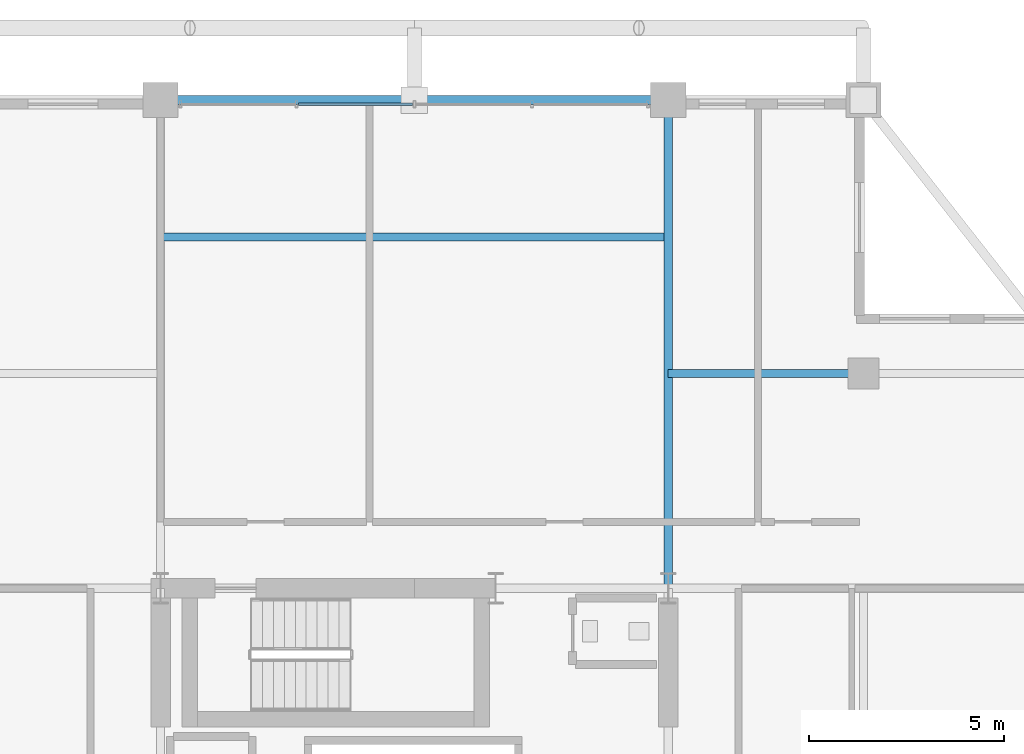
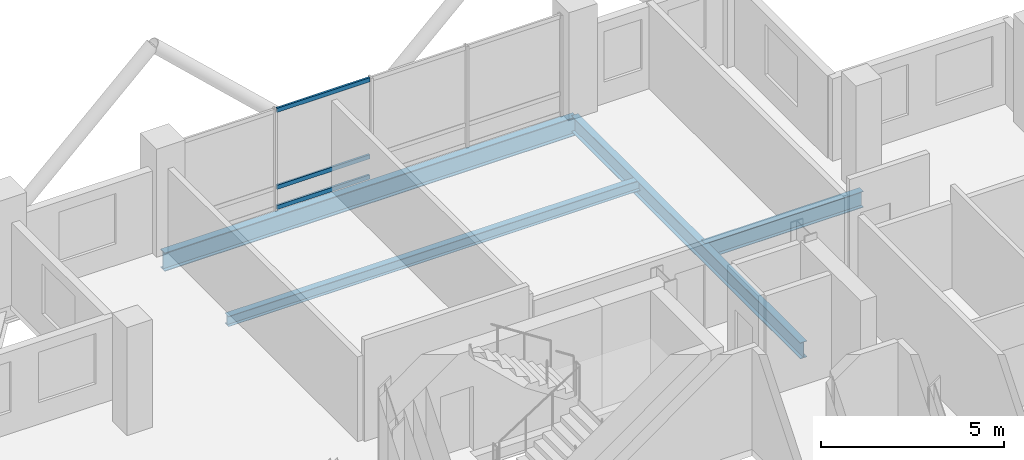
# One storey, part 16 of 24: 4 beams, 3 members, 1 element without a shape of its own.
"""IFC4 building model written with IfcOpenShell, lengths in metres."""

from ifc_helpers import new_model, si_unit, direction, frame, origin, origin_2d, place, context, subcontext, project, spatial, hollow_rectangle, i_section, extrude, material, layer, layer_set, material_profile, profile_set, type_object, element, aggregate, save


model = new_model("IFC4")

# Units and contexts
model_context = context("Model", 3, precision=1e-05, world=origin(), true_north=direction((0.0, 1.0)))
body_context = subcontext(model_context, "Body", "Model", "MODEL_VIEW")
ifc_project = project(units=[si_unit("LENGTHUNIT", "METRE"), si_unit("AREAUNIT", "SQUARE_METRE"), si_unit("VOLUMEUNIT", "CUBIC_METRE"), si_unit("PLANEANGLEUNIT", "RADIAN"), si_unit("MASSUNIT", "GRAM", prefix="KILO")], contexts=[model_context])

# Site, building, storey
site_placement = place(None, origin())
site = spatial("IfcSite", under=ifc_project, at=site_placement, CompositionType="ELEMENT")
building_placement = place(site_placement, origin())
building = spatial("IfcBuilding", under=site, at=building_placement, Name="Barlavira Tower and Art Museum", CompositionType="ELEMENT")
storey_placement = place(building_placement, frame((0.0, 0.0, 294.300048828125)))
storey = spatial("IfcBuildingStorey", under=building, at=storey_placement, Name="L77", CompositionType="ELEMENT", Elevation=294.300048828125)

# Curtain wall, members
ifc_material_1 = material(Name="Low-iron coastal laminated glass", Category="glass")
ifc_layer = layer(ifc_material_1, 0.2099609375, Name="Low-iron coastal laminated glass")
ifc_layer_set = layer_set([ifc_layer], Name="Low-iron coastal laminated glass")
curtain_wall_type = type_object("IfcCurtainWallType", Name="Pale-Metal Unitised Curtain Wall Zone 4", PredefinedType="NOTDEFINED", material=ifc_layer_set)
curtain_wall_placement = place(storey_placement, origin())
curtain_wall = element("IfcCurtainWall", 1, at=curtain_wall_placement, inside=storey, type_object=curtain_wall_type, Name="L77 Curtain Wall CW4-L77-N-B2", PredefinedType="NOTDEFINED")
ifc_material_2 = material(Name="Pale anodised aluminium", Category="aluminium")
ifc_material_profile_1 = material_profile(ifc_material_2, hollow_rectangle(XDim=0.06494140625, YDim=0.139892578125, WallThickness=0.00390625, at=origin_2d()), Name="ALU-TRAN 65x140x4")
ifc_profile_set_1 = profile_set([ifc_material_profile_1], Name="Pale anodised aluminium")
member_type = type_object("IfcMemberType", Name="Curtain Wall Pale-Metal Transom 65x140", PredefinedType="USERDEFINED", material=ifc_profile_set_1)
member_1_placement = place(storey_placement, frame((-0.044921875, 19.89990234375, 0.070068359375), z_axis=(-1.0, 0.0, 0.0), x_axis=(0.0, -1.0, 0.0)))
member_1 = element("IfcMember", 2, at=member_1_placement, type_object=member_type, Name="CW4-L77-N-B2 Transom 2.1", ObjectType="TRANSOM", PredefinedType="USERDEFINED", context=body_context, shape_type="SweptSolid", body=[
    extrude(hollow_rectangle(XDim=0.06494140625, YDim=0.139892578125, WallThickness=0.00390625, at=origin_2d()), origin(), (0.0, 0.0, 1.0), 2.925048828125),
])
member_2_placement = place(storey_placement, frame((-0.044921875, 19.89990234375, 0.743896484375), z_axis=(-1.0, 0.0, 0.0), x_axis=(0.0, -1.0, 0.0)))
member_2 = element("IfcMember", 3, at=member_2_placement, type_object=member_type, Name="CW4-L77-N-B2 Transom 2.2", ObjectType="TRANSOM", PredefinedType="USERDEFINED", context=body_context, shape_type="SweptSolid", body=[
    extrude(hollow_rectangle(XDim=0.06494140625, YDim=0.139892578125, WallThickness=0.00390625, at=origin_2d()), origin(), (0.0, 0.0, 1.0), 2.925048828125),
])
member_3_placement = place(storey_placement, frame((-0.044921875, 19.89990234375, 3.31005859375), z_axis=(-1.0, 0.0, 0.0), x_axis=(0.0, -1.0, 0.0)))
member_3 = element("IfcMember", 4, at=member_3_placement, type_object=member_type, Name="CW4-L77-N-B2 Transom 2.3", ObjectType="TRANSOM", PredefinedType="USERDEFINED", context=body_context, shape_type="SweptSolid", body=[
    extrude(hollow_rectangle(XDim=0.06494140625, YDim=0.139892578125, WallThickness=0.00390625, at=origin_2d()), origin(), (0.0, 0.0, 1.0), 2.925048828125),
])
aggregate(curtain_wall, [member_1, member_2, member_3])

# Beams
ifc_material_3 = material(Name="Steel S355", Category="steel")
ifc_material_profile_2 = material_profile(ifc_material_3, i_section(OverallWidth=0.22998046875, OverallDepth=0.616943359375, WebThickness=0.01318359375, FlangeThickness=0.022216796875, at=origin_2d()), Name="W610x140.0")
ifc_profile_set_2 = profile_set([ifc_material_profile_2], Name="Steel S355")
beam_type_1 = type_object("IfcBeamType", Name="Upper Shaft Spandrel Edge Beam W610x140 Steel S355", PredefinedType="SPANDREL", material=ifc_profile_set_2)
beam_1_placement = place(storey_placement, frame((-6.5, 20.0, -0.528564453125), z_axis=(1.0, 0.0, 0.0), x_axis=(0.0, 1.0, 0.0)))
element("IfcBeam", 5, at=beam_1_placement, inside=storey, type_object=beam_type_1, Name="L77 Spandrel 10", PredefinedType="SPANDREL", context=body_context, shape_type="SweptSolid", body=[
    extrude(i_section(OverallWidth=0.22998046875, OverallDepth=0.616943359375, WebThickness=0.01318359375, FlangeThickness=0.022216796875, at=origin_2d()), origin(), (0.0, 0.0, 1.0), 13.0),
])
ifc_material_profile_3 = material_profile(ifc_material_3, i_section(OverallWidth=0.2109375, OverallDepth=0.5390625, WebThickness=0.01171875, FlangeThickness=0.018798828125, at=origin_2d()), Name="W530x109.0")
ifc_profile_set_3 = profile_set([ifc_material_profile_3], Name="Steel S355")
beam_type_2 = type_object("IfcBeamType", Name="Zone 3-4 Primary Floor Girder W530x109 Steel S355", PredefinedType="BEAM", material=ifc_profile_set_3)
beam_2_placement = place(storey_placement, frame((6.5, 7.5, -0.489501953125), z_axis=(0.0, 1.0, 0.0), x_axis=(-1.0, 0.0, 0.0)))
element("IfcBeam", 6, at=beam_2_placement, inside=storey, type_object=beam_type_2, Name="L77 Girder R-N2", PredefinedType="BEAM", context=body_context, shape_type="SweptSolid", body=[
    extrude(i_section(OverallWidth=0.2109375, OverallDepth=0.5390625, WebThickness=0.01171875, FlangeThickness=0.018798828125, at=origin_2d()), origin(), (0.0, 0.0, 1.0), 12.5),
])
beam_3_placement = place(storey_placement, frame((6.5, 13.0, -0.489501953125), z_axis=(1.0, 0.0, 0.0), x_axis=(0.0, 1.0, 0.0)))
element("IfcBeam", 7, at=beam_3_placement, inside=storey, type_object=beam_type_2, Name="L77 Girder I-N3", PredefinedType="BEAM", context=body_context, shape_type="SweptSolid", body=[
    extrude(i_section(OverallWidth=0.2109375, OverallDepth=0.5390625, WebThickness=0.01171875, FlangeThickness=0.018798828125, at=origin_2d()), origin(), (0.0, 0.0, 1.0), 5.0),
])
ifc_material_profile_4 = material_profile(ifc_material_3, i_section(OverallWidth=0.202880859375, OverallDepth=0.346923828125, WebThickness=0.0078125, FlangeThickness=0.013427734375, at=origin_2d()), Name="W360x64.0")
ifc_profile_set_4 = profile_set([ifc_material_profile_4], Name="Steel S355")
beam_type_3 = type_object("IfcBeamType", Name="Zone 4 Composite Floor Joist W360x64 Steel S355", PredefinedType="JOIST", material=ifc_profile_set_4)
beam_4_placement = place(storey_placement, frame((-6.5, 16.5, -0.3935546875), z_axis=(1.0, 0.0, 0.0), x_axis=(0.0, 1.0, 0.0)))
element("IfcBeam", 8, at=beam_4_placement, inside=storey, type_object=beam_type_3, Name="L77 Joist C2", PredefinedType="JOIST", context=body_context, shape_type="SweptSolid", body=[
    extrude(i_section(OverallWidth=0.202880859375, OverallDepth=0.346923828125, WebThickness=0.0078125, FlangeThickness=0.013427734375, at=origin_2d()), origin(), (0.0, 0.0, 1.0), 13.0),
])

save(model, "model.ifc")
